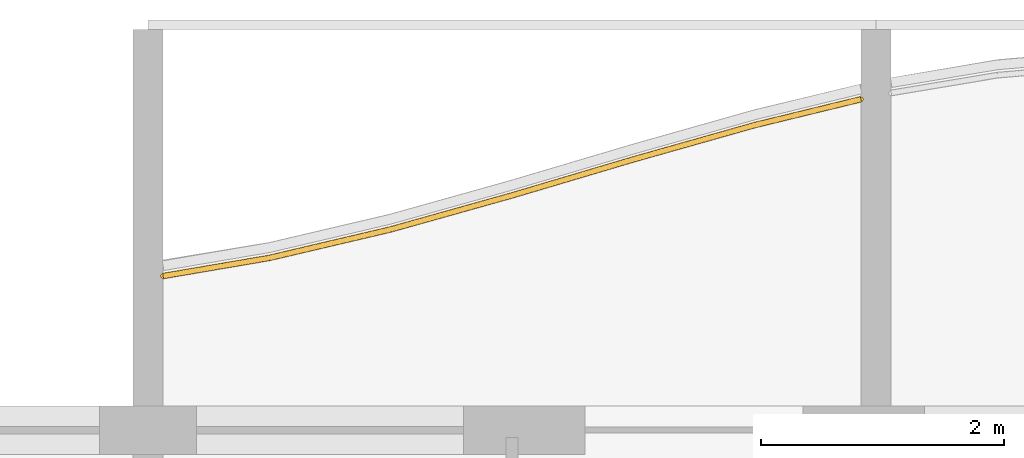
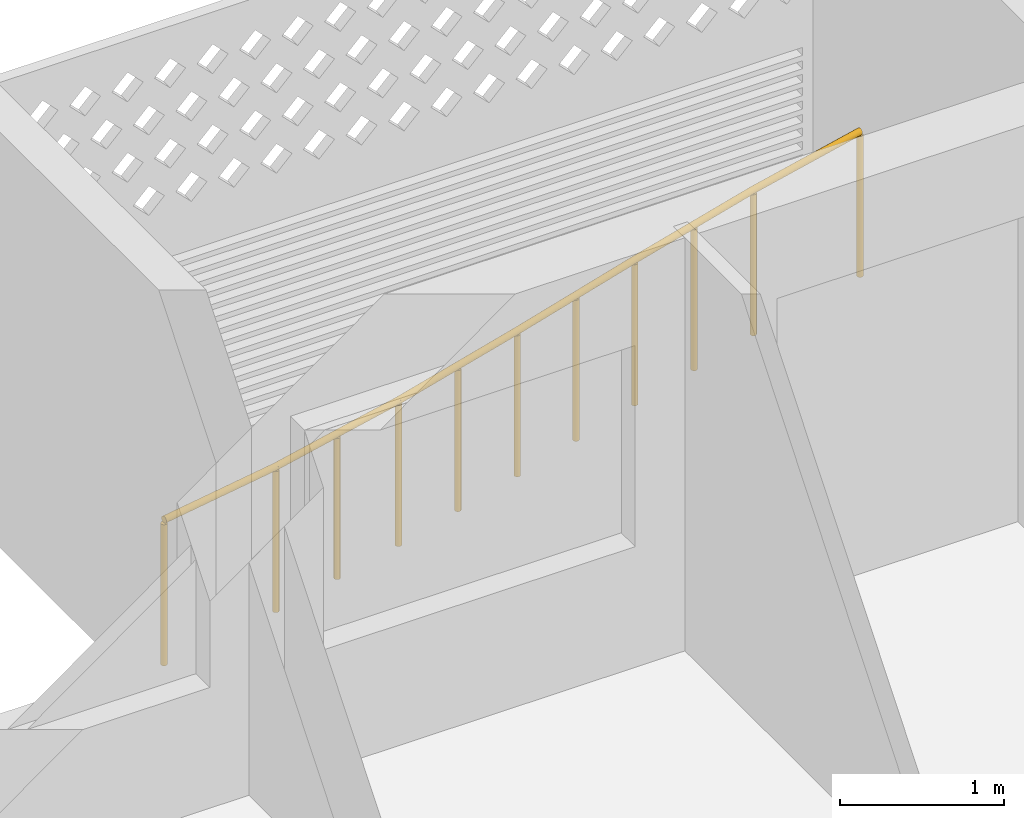
# One storey, part 18 of 29: 1 railing.
"""IFC4 building model written with IfcOpenShell, lengths in metres."""

import ifcopenshell
import ifcopenshell.guid

model = None  # the IFC model being written
_history = None  # IfcOwnerHistory: only IFC2X3 demands one
_inside = {}  # id of a spatial element -> (the spatial element, [elements in it])
_under = {}  # id of a project, library or spatial element -> (it, [spatial elements below it])
_declared = {}  # id of a project -> (the project, [libraries it declares])
_typed = {}  # id of a type object -> (the type object, [elements of that type])
_made_of = {}  # id of a material, layer set ... -> (it, [elements and type objects made of it])


def new_model(schema):
    """Start an empty IFC model of exactly this schema.

    Asked for "IFC4X3", IfcOpenShell would pick the latest addendum, in which some entities
    have other attributes; the version numbers below select the first issue.
    IFC2X3 requires an IfcOwnerHistory on every rooted entity: one is made here for all.
    """
    global model, _history
    if schema == "IFC4X3":
        model = ifcopenshell.file(schema_version=(4, 3, 0, 0))
    else:
        model = ifcopenshell.file(schema=schema)
    _inside.clear()
    _under.clear()
    _declared.clear()
    _typed.clear()
    _made_of.clear()
    _history = None
    if model.schema == "IFC2X3":
        org = make("IfcOrganization", Name="unknown")
        user = make(
            "IfcPersonAndOrganization",
            ThePerson=make("IfcPerson", FamilyName="unknown"),
            TheOrganization=org,
        )
        app = make(
            "IfcApplication",
            ApplicationDeveloper=org,
            Version="unknown",
            ApplicationFullName="unknown",
            ApplicationIdentifier="unknown",
        )
        _history = make(
            "IfcOwnerHistory",
            OwningUser=user,
            OwningApplication=app,
            ChangeAction="ADDED",
            CreationDate=0,
        )
    return model


def make(cls, **values):
    """One entity of the class cls with the attributes given. An attribute that is None is left unset."""
    return model.create_entity(
        cls, **{name: value for name, value in values.items() if value is not None}
    )


def rooted(cls, **values):
    """An entity with a GlobalId (a new one), such as an element, a storey or a relation."""
    return make(cls, GlobalId=ifcopenshell.guid.new(), OwnerHistory=_history, **values)


def si_unit(unit_type, name, prefix=None):
    """IfcSIUnit, for example si_unit("LENGTHUNIT", "METRE", prefix="MILLI")."""
    return make("IfcSIUnit", UnitType=unit_type, Prefix=prefix, Name=name)


def assignment(units):
    """IfcUnitAssignment: the units of a project."""
    return None if units is None else make("IfcUnitAssignment", Units=units)


def point(xyz):
    """IfcCartesianPoint."""
    return None if xyz is None else make("IfcCartesianPoint", Coordinates=xyz)


def direction(xyz):
    """IfcDirection."""
    return None if xyz is None else make("IfcDirection", DirectionRatios=xyz)


def frame(location, z_axis=None, x_axis=None):
    """IfcAxis2Placement3D, a coordinate frame: its origin and axes. An axis left out is left unset."""
    return make(
        "IfcAxis2Placement3D",
        Location=point(location),
        Axis=direction(z_axis),
        RefDirection=direction(x_axis),
    )


def frame_2d(location, x_axis=None):
    """IfcAxis2Placement2D, a coordinate frame in the plane: its origin and x axis."""
    return make(
        "IfcAxis2Placement2D", Location=point(location), RefDirection=direction(x_axis)
    )


def origin():
    """The frame at (0, 0, 0) with its axes left unset."""
    return frame((0.0, 0.0, 0.0))


def origin_2d():
    """The frame at (0, 0) in the plane with its x axis left unset."""
    return frame_2d((0.0, 0.0))


def place(relative_to, where):
    """IfcLocalPlacement: puts the frame where relative to a parent placement (None: the world)."""
    return make(
        "IfcLocalPlacement", PlacementRelTo=relative_to, RelativePlacement=where
    )


def context(
    kind, dimensions, precision=None, world=None, true_north=None, identifier=None
):
    """IfcGeometricRepresentationContext, for example the 3D "Model" context."""
    return make(
        "IfcGeometricRepresentationContext",
        ContextIdentifier=identifier,
        ContextType=kind,
        CoordinateSpaceDimension=dimensions,
        Precision=precision,
        WorldCoordinateSystem=world,
        TrueNorth=true_north,
    )


def subcontext(parent, identifier, kind, view, scale=None):
    """IfcGeometricRepresentationSubContext, for example "Body" below "Model"."""
    return make(
        "IfcGeometricRepresentationSubContext",
        ContextIdentifier=identifier,
        ContextType=kind,
        ParentContext=parent,
        TargetScale=scale,
        TargetView=view,
    )


def project(units=None, contexts=None):
    """IfcProject with its units and contexts."""
    return rooted(
        "IfcProject",
        Name="project",
        RepresentationContexts=contexts,
        UnitsInContext=assignment(units),
    )


def spatial(cls, under=None, at=None, **own):
    """A site, building, storey or space (cls), placed at a placement, below another one or the project."""
    s = rooted(cls, ObjectPlacement=at, **own)
    if under is not None:
        _under.setdefault(under.id(), (under, []))[1].append(s)
    return s


def profile(cls, at=None, kind="AREA", **sizes):
    """A parametric profile (cls). Its sizes go by their IFC names, for example OverallWidth=200.0."""
    return make(cls, ProfileType=kind, Position=at, **sizes)


def circle(**sizes):
    """IfcCircleProfileDef."""
    return profile("IfcCircleProfileDef", **sizes)


def extrude(swept, where, along, depth):
    """IfcExtrudedAreaSolid: the profile swept, set in the frame where, extruded along a direction by depth."""
    return make(
        "IfcExtrudedAreaSolid",
        SweptArea=swept,
        Position=where,
        ExtrudedDirection=direction(along),
        Depth=depth,
    )


def shape(context_of_items, identifier, shape_type, items):
    """IfcShapeRepresentation: the items that make up one representation, for example the "Body"."""
    return make(
        "IfcShapeRepresentation",
        ContextOfItems=context_of_items,
        RepresentationIdentifier=identifier,
        RepresentationType=shape_type,
        Items=items,
    )


def material(Name=None, Category=None):
    """IfcMaterial."""
    return make("IfcMaterial", Name=Name, Category=Category)


def made_of(thing, what):
    """Note that an element or type object is made of a material, layer set ...; save() writes the relation."""
    if what is not None:
        _made_of.setdefault(what.id(), (what, []))[1].append(thing)
    return thing


def type_object(cls, material=None, **own):
    """A type object (cls), such as IfcWallType, which elements share."""
    return made_of(rooted(cls, **own), material)


def element(
    cls,
    number,
    at=None,
    inside=None,
    cuts=None,
    type_object=None,
    material=None,
    context=None,
    identifier="Body",
    shape_type=None,
    held_by="IfcProductDefinitionShape",
    body=None,
    shapes=None,
    **own,
):
    """One element of the class cls, such as IfcWall. Its Tag is "e" and its number.

    at: its placement. inside: the storey or other place that contains it. cuts: it is an
    opening in that element (IfcRelVoidsElement). A single representation is given by context,
    identifier, shape_type and body (its items); several are given by shapes. held_by: the class
    of the entity that holds the representations. save() writes the other relations.
    """
    e = rooted(cls, Tag="e%d" % number, ObjectPlacement=at, **own)
    if body is not None:
        shapes = [shape(context, identifier, shape_type, body)]
    if shapes is not None:
        e.Representation = make(held_by, Representations=shapes)
    if inside is not None:
        _inside.setdefault(inside.id(), (inside, []))[1].append(e)
    if cuts is not None:
        rooted(
            "IfcRelVoidsElement", RelatingBuildingElement=cuts, RelatedOpeningElement=e
        )
    if type_object is not None:
        _typed.setdefault(type_object.id(), (type_object, []))[1].append(e)
    return made_of(e, material)


def aggregate(whole, parts):
    """IfcRelAggregates: a whole, such as a stair, and the parts it consists of."""
    return rooted("IfcRelAggregates", RelatingObject=whole, RelatedObjects=parts)


def save(model, path):
    """Write the relations noted so far, then the file.

    IfcRelAggregates (storeys below a building ...), IfcRelContainedInSpatialStructure (elements
    in a storey), IfcRelDefinesByType, IfcRelAssociatesMaterial and IfcRelDeclares: one each for
    every whole, place, type object, material and project.
    """
    for whole, parts in _under.values():
        aggregate(whole, parts)
    for where, things in _inside.values():
        rooted(
            "IfcRelContainedInSpatialStructure",
            RelatedElements=things,
            RelatingStructure=where,
        )
    for kind, things in _typed.values():
        rooted("IfcRelDefinesByType", RelatedObjects=things, RelatingType=kind)
    for what, things in _made_of.values():
        rooted("IfcRelAssociatesMaterial", RelatedObjects=things, RelatingMaterial=what)
    for by, libraries in _declared.values():
        rooted("IfcRelDeclares", RelatingContext=by, RelatedDefinitions=libraries)
    model.write(path)


model = new_model("IFC4")

# Units and contexts
model_context = context("Model", 3, precision=1e-05, world=origin(), true_north=direction((0.0, 1.0)))
body_context = subcontext(model_context, "Body", "Model", "MODEL_VIEW")
ifc_project = project(units=[si_unit("LENGTHUNIT", "METRE"), si_unit("AREAUNIT", "SQUARE_METRE"), si_unit("VOLUMEUNIT", "CUBIC_METRE"), si_unit("PLANEANGLEUNIT", "RADIAN"), si_unit("MASSUNIT", "GRAM", prefix="KILO")], contexts=[model_context])

# Site, building, storey
site_placement = place(None, origin())
site = spatial("IfcSite", under=ifc_project, at=site_placement, CompositionType="ELEMENT")
building_placement = place(site_placement, origin())
building = spatial("IfcBuilding", under=site, at=building_placement, Name="Poui Terraces", CompositionType="ELEMENT")
storey_placement = place(building_placement, frame((0.0, 0.0, 237.89990234375)))
storey = spatial("IfcBuildingStorey", under=building, at=storey_placement, Name="L66", CompositionType="ELEMENT", Elevation=237.89990234375)

# Railing
ifc_material = material(Name="Painted steel fretwork", Category="steel")
railing_type = type_object("IfcRailingType", Name="BALCONY GUARD 1100", PredefinedType="GUARDRAIL", material=ifc_material)
railing_placement = place(storey_placement, frame((36.125, 42.47021484375, 0.0)))
element("IfcRailing", 1, at=railing_placement, inside=storey, type_object=railing_type, Name="BALCONY GUARD", PredefinedType="GUARDRAIL", context=body_context, shape_type="SweptSolid", body=[
    extrude(circle(Radius=0.02392578125, at=origin_2d()), frame((0.0, 0.0, 1.076171875), z_axis=(0.985777573942, 0.16805527279, 0.0), x_axis=(-0.16805527279, 0.985777573942, 0.0)), (0.0, 0.0, 1.0), 0.8876953125),
    extrude(circle(Radius=0.02392578125, at=origin_2d()), frame((0.875, 0.149169921875, 1.076171875), z_axis=(0.973510598085, 0.228641893398, 0.0), x_axis=(-0.228641893398, 0.973510598085, 0.0)), (0.0, 0.0, 1.0), 1.027099609375),
    extrude(circle(Radius=0.02392578125, at=origin_2d()), frame((1.875, 0.384033203125, 1.076171875), z_axis=(0.962895626656, 0.269874067237, 0.0), x_axis=(-0.269874067237, 0.962895626656, 0.0)), (0.0, 0.0, 1.0), 1.03857421875),
    extrude(circle(Radius=0.02392578125, at=origin_2d()), frame((2.875, 0.664306640625, 1.076171875), z_axis=(0.958710700624, 0.284383179018, 0.0), x_axis=(-0.284383179018, 0.958710700624, 0.0)), (0.0, 0.0, 1.0), 1.04296875),
    extrude(circle(Radius=0.02392578125, at=origin_2d()), frame((3.875, 0.9609375, 1.076171875), z_axis=(0.962282666556, 0.272051593719, 0.0), x_axis=(-0.272051593719, 0.962282666556, 0.0)), (0.0, 0.0, 1.0), 1.039306640625),
    extrude(circle(Radius=0.02392578125, at=origin_2d()), frame((4.875, 1.24365234375, 1.076171875), z_axis=(0.971654139629, 0.236406922365, 0.0), x_axis=(-0.236406922365, 0.971654139629, 0.0)), (0.0, 0.0, 1.0), 0.900634765625),
    extrude(circle(Radius=0.02099609375, at=origin_2d()), origin(), (0.0, 0.0, 1.0), 1.052001953125),
    extrude(circle(Radius=0.02099609375, at=origin_2d()), frame((0.875, 0.149169921875, 0.0)), (0.0, 0.0, 1.0), 1.052001953125),
    extrude(circle(Radius=0.02099609375, at=origin_2d()), frame((1.375, 0.2666015625, 0.0)), (0.0, 0.0, 1.0), 1.052001953125),
    extrude(circle(Radius=0.02099609375, at=origin_2d()), frame((1.875, 0.384033203125, 0.0)), (0.0, 0.0, 1.0), 1.052001953125),
    extrude(circle(Radius=0.02099609375, at=origin_2d()), frame((2.375, 0.524169921875, 0.0)), (0.0, 0.0, 1.0), 1.052001953125),
    extrude(circle(Radius=0.02099609375, at=origin_2d()), frame((2.875, 0.664306640625, 0.0)), (0.0, 0.0, 1.0), 1.052001953125),
    extrude(circle(Radius=0.02099609375, at=origin_2d()), frame((3.375, 0.8125, 0.0)), (0.0, 0.0, 1.0), 1.052001953125),
    extrude(circle(Radius=0.02099609375, at=origin_2d()), frame((3.875, 0.9609375, 0.0)), (0.0, 0.0, 1.0), 1.052001953125),
    extrude(circle(Radius=0.02099609375, at=origin_2d()), frame((4.375, 1.102294921875, 0.0)), (0.0, 0.0, 1.0), 1.052001953125),
    extrude(circle(Radius=0.02099609375, at=origin_2d()), frame((4.875, 1.24365234375, 0.0)), (0.0, 0.0, 1.0), 1.052001953125),
    extrude(circle(Radius=0.02099609375, at=origin_2d()), frame((5.75, 1.45654296875, 0.0)), (0.0, 0.0, 1.0), 1.052001953125),
])

save(model, "model.ifc")
